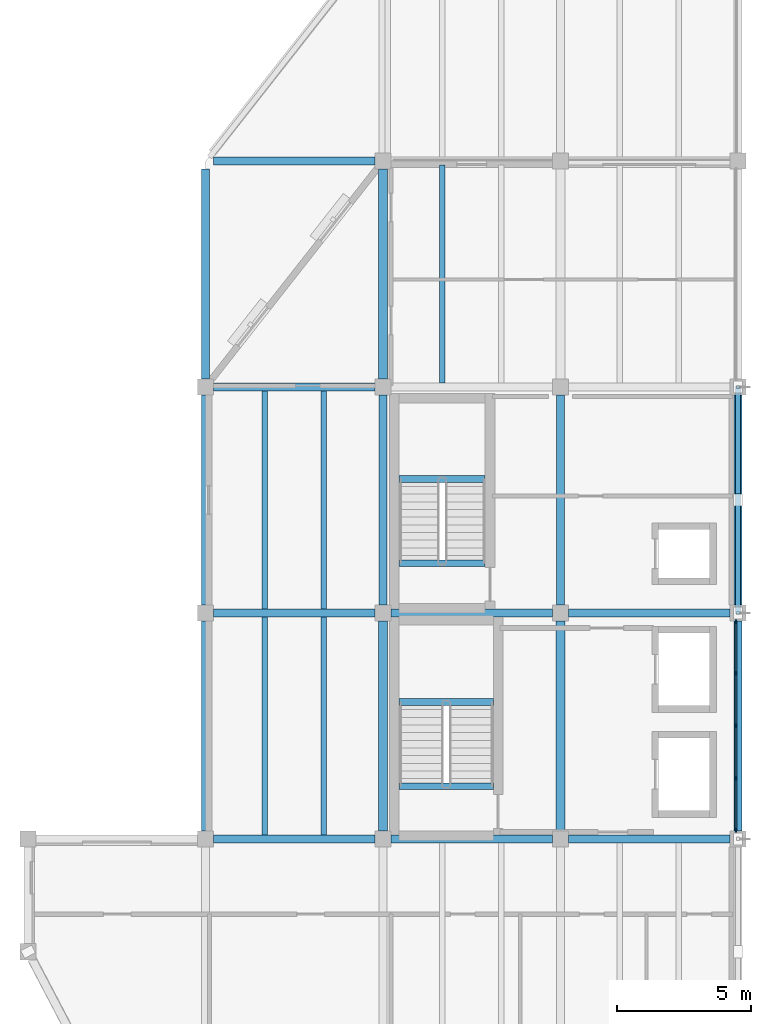
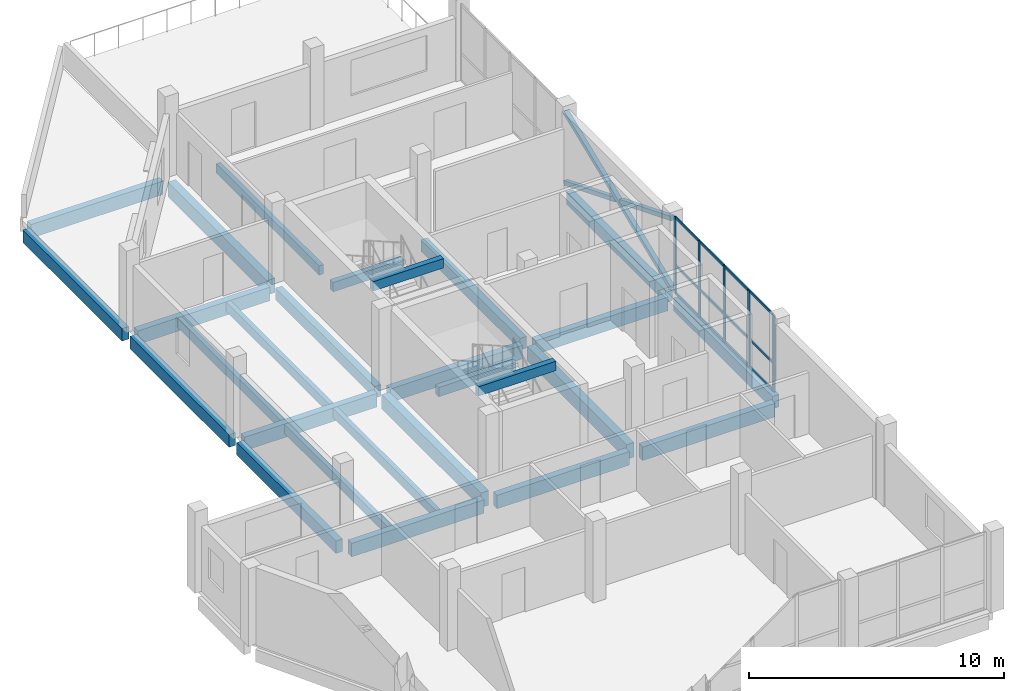
# One storey, part 3 of 10: 27 beams, 20 members, 1 element without a shape of its own.
"""IFC4 building model written with IfcOpenShell, lengths in metres."""

import ifcopenshell
import ifcopenshell.guid

model = None  # the IFC model being written
_history = None  # IfcOwnerHistory: only IFC2X3 demands one
_inside = {}  # id of a spatial element -> (the spatial element, [elements in it])
_under = {}  # id of a project, library or spatial element -> (it, [spatial elements below it])
_declared = {}  # id of a project -> (the project, [libraries it declares])
_typed = {}  # id of a type object -> (the type object, [elements of that type])
_made_of = {}  # id of a material, layer set ... -> (it, [elements and type objects made of it])


def new_model(schema):
    """Start an empty IFC model of exactly this schema.

    Asked for "IFC4X3", IfcOpenShell would pick the latest addendum, in which some entities
    have other attributes; the version numbers below select the first issue.
    IFC2X3 requires an IfcOwnerHistory on every rooted entity: one is made here for all.
    """
    global model, _history
    if schema == "IFC4X3":
        model = ifcopenshell.file(schema_version=(4, 3, 0, 0))
    else:
        model = ifcopenshell.file(schema=schema)
    _inside.clear()
    _under.clear()
    _declared.clear()
    _typed.clear()
    _made_of.clear()
    _history = None
    if model.schema == "IFC2X3":
        org = make("IfcOrganization", Name="unknown")
        user = make(
            "IfcPersonAndOrganization",
            ThePerson=make("IfcPerson", FamilyName="unknown"),
            TheOrganization=org,
        )
        app = make(
            "IfcApplication",
            ApplicationDeveloper=org,
            Version="unknown",
            ApplicationFullName="unknown",
            ApplicationIdentifier="unknown",
        )
        _history = make(
            "IfcOwnerHistory",
            OwningUser=user,
            OwningApplication=app,
            ChangeAction="ADDED",
            CreationDate=0,
        )
    return model


def make(cls, **values):
    """One entity of the class cls with the attributes given. An attribute that is None is left unset."""
    return model.create_entity(
        cls, **{name: value for name, value in values.items() if value is not None}
    )


def rooted(cls, **values):
    """An entity with a GlobalId (a new one), such as an element, a storey or a relation."""
    return make(cls, GlobalId=ifcopenshell.guid.new(), OwnerHistory=_history, **values)


def si_unit(unit_type, name, prefix=None):
    """IfcSIUnit, for example si_unit("LENGTHUNIT", "METRE", prefix="MILLI")."""
    return make("IfcSIUnit", UnitType=unit_type, Prefix=prefix, Name=name)


def assignment(units):
    """IfcUnitAssignment: the units of a project."""
    return None if units is None else make("IfcUnitAssignment", Units=units)


def point(xyz):
    """IfcCartesianPoint."""
    return None if xyz is None else make("IfcCartesianPoint", Coordinates=xyz)


def direction(xyz):
    """IfcDirection."""
    return None if xyz is None else make("IfcDirection", DirectionRatios=xyz)


def frame(location, z_axis=None, x_axis=None):
    """IfcAxis2Placement3D, a coordinate frame: its origin and axes. An axis left out is left unset."""
    return make(
        "IfcAxis2Placement3D",
        Location=point(location),
        Axis=direction(z_axis),
        RefDirection=direction(x_axis),
    )


def frame_2d(location, x_axis=None):
    """IfcAxis2Placement2D, a coordinate frame in the plane: its origin and x axis."""
    return make(
        "IfcAxis2Placement2D", Location=point(location), RefDirection=direction(x_axis)
    )


def origin():
    """The frame at (0, 0, 0) with its axes left unset."""
    return frame((0.0, 0.0, 0.0))


def origin_2d():
    """The frame at (0, 0) in the plane with its x axis left unset."""
    return frame_2d((0.0, 0.0))


def place(relative_to, where):
    """IfcLocalPlacement: puts the frame where relative to a parent placement (None: the world)."""
    return make(
        "IfcLocalPlacement", PlacementRelTo=relative_to, RelativePlacement=where
    )


def context(
    kind, dimensions, precision=None, world=None, true_north=None, identifier=None
):
    """IfcGeometricRepresentationContext, for example the 3D "Model" context."""
    return make(
        "IfcGeometricRepresentationContext",
        ContextIdentifier=identifier,
        ContextType=kind,
        CoordinateSpaceDimension=dimensions,
        Precision=precision,
        WorldCoordinateSystem=world,
        TrueNorth=true_north,
    )


def subcontext(parent, identifier, kind, view, scale=None):
    """IfcGeometricRepresentationSubContext, for example "Body" below "Model"."""
    return make(
        "IfcGeometricRepresentationSubContext",
        ContextIdentifier=identifier,
        ContextType=kind,
        ParentContext=parent,
        TargetScale=scale,
        TargetView=view,
    )


def project(units=None, contexts=None):
    """IfcProject with its units and contexts."""
    return rooted(
        "IfcProject",
        Name="project",
        RepresentationContexts=contexts,
        UnitsInContext=assignment(units),
    )


def spatial(cls, under=None, at=None, **own):
    """A site, building, storey or space (cls), placed at a placement, below another one or the project."""
    s = rooted(cls, ObjectPlacement=at, **own)
    if under is not None:
        _under.setdefault(under.id(), (under, []))[1].append(s)
    return s


def profile(cls, at=None, kind="AREA", **sizes):
    """A parametric profile (cls). Its sizes go by their IFC names, for example OverallWidth=200.0."""
    return make(cls, ProfileType=kind, Position=at, **sizes)


def rectangle(**sizes):
    """IfcRectangleProfileDef."""
    return profile("IfcRectangleProfileDef", **sizes)


def hollow_rectangle(**sizes):
    """IfcRectangleHollowProfileDef."""
    return profile("IfcRectangleHollowProfileDef", **sizes)


def extrude(swept, where, along, depth):
    """IfcExtrudedAreaSolid: the profile swept, set in the frame where, extruded along a direction by depth."""
    return make(
        "IfcExtrudedAreaSolid",
        SweptArea=swept,
        Position=where,
        ExtrudedDirection=direction(along),
        Depth=depth,
    )


def shape(context_of_items, identifier, shape_type, items):
    """IfcShapeRepresentation: the items that make up one representation, for example the "Body"."""
    return make(
        "IfcShapeRepresentation",
        ContextOfItems=context_of_items,
        RepresentationIdentifier=identifier,
        RepresentationType=shape_type,
        Items=items,
    )


def material(Name=None, Category=None):
    """IfcMaterial."""
    return make("IfcMaterial", Name=Name, Category=Category)


def material_profile(
    of_material, cross_section, Name=None, Category=None, Priority=None
):
    """IfcMaterialProfile: a cross section and its material."""
    return make(
        "IfcMaterialProfile",
        Name=Name,
        Material=of_material,
        Profile=cross_section,
        Priority=Priority,
        Category=Category,
    )


def profile_set(profiles, Name=None, composite=None):
    """IfcMaterialProfileSet."""
    return make(
        "IfcMaterialProfileSet",
        Name=Name,
        MaterialProfiles=profiles,
        CompositeProfile=composite,
    )


def made_of(thing, what):
    """Note that an element or type object is made of a material, layer set ...; save() writes the relation."""
    if what is not None:
        _made_of.setdefault(what.id(), (what, []))[1].append(thing)
    return thing


def type_object(cls, material=None, **own):
    """A type object (cls), such as IfcWallType, which elements share."""
    return made_of(rooted(cls, **own), material)


def element(
    cls,
    number,
    at=None,
    inside=None,
    cuts=None,
    type_object=None,
    material=None,
    context=None,
    identifier="Body",
    shape_type=None,
    held_by="IfcProductDefinitionShape",
    body=None,
    shapes=None,
    **own,
):
    """One element of the class cls, such as IfcWall. Its Tag is "e" and its number.

    at: its placement. inside: the storey or other place that contains it. cuts: it is an
    opening in that element (IfcRelVoidsElement). A single representation is given by context,
    identifier, shape_type and body (its items); several are given by shapes. held_by: the class
    of the entity that holds the representations. save() writes the other relations.
    """
    e = rooted(cls, Tag="e%d" % number, ObjectPlacement=at, **own)
    if body is not None:
        shapes = [shape(context, identifier, shape_type, body)]
    if shapes is not None:
        e.Representation = make(held_by, Representations=shapes)
    if inside is not None:
        _inside.setdefault(inside.id(), (inside, []))[1].append(e)
    if cuts is not None:
        rooted(
            "IfcRelVoidsElement", RelatingBuildingElement=cuts, RelatedOpeningElement=e
        )
    if type_object is not None:
        _typed.setdefault(type_object.id(), (type_object, []))[1].append(e)
    return made_of(e, material)


def aggregate(whole, parts):
    """IfcRelAggregates: a whole, such as a stair, and the parts it consists of."""
    return rooted("IfcRelAggregates", RelatingObject=whole, RelatedObjects=parts)


def save(model, path):
    """Write the relations noted so far, then the file.

    IfcRelAggregates (storeys below a building ...), IfcRelContainedInSpatialStructure (elements
    in a storey), IfcRelDefinesByType, IfcRelAssociatesMaterial and IfcRelDeclares: one each for
    every whole, place, type object, material and project.
    """
    for whole, parts in _under.values():
        aggregate(whole, parts)
    for where, things in _inside.values():
        rooted(
            "IfcRelContainedInSpatialStructure",
            RelatedElements=things,
            RelatingStructure=where,
        )
    for kind, things in _typed.values():
        rooted("IfcRelDefinesByType", RelatedObjects=things, RelatingType=kind)
    for what, things in _made_of.values():
        rooted("IfcRelAssociatesMaterial", RelatedObjects=things, RelatingMaterial=what)
    for by, libraries in _declared.values():
        rooted("IfcRelDeclares", RelatingContext=by, RelatedDefinitions=libraries)
    model.write(path)


model = new_model("IFC4")

# Units and contexts
model_context = context("Model", 3, precision=1e-05, world=origin(), true_north=direction((0.0, 1.0)))
body_context = subcontext(model_context, "Body", "Model", "MODEL_VIEW")
ifc_project = project(units=[si_unit("LENGTHUNIT", "METRE"), si_unit("AREAUNIT", "SQUARE_METRE"), si_unit("VOLUMEUNIT", "CUBIC_METRE"), si_unit("PLANEANGLEUNIT", "RADIAN"), si_unit("MASSUNIT", "GRAM", prefix="KILO")], contexts=[model_context])

# Site, building, storey
site_placement = place(None, origin())
site = spatial("IfcSite", under=ifc_project, at=site_placement, CompositionType="ELEMENT")
building_placement = place(site_placement, origin())
building = spatial("IfcBuilding", under=site, at=building_placement, Name="Qaldarim Faculty of Natural and Applied Sciences", CompositionType="ELEMENT")
storey_placement = place(building_placement, frame((0.0, 0.0, 39.300048828125)))
storey = spatial("IfcBuildingStorey", under=building, at=storey_placement, Name="L09", CompositionType="ELEMENT", Elevation=39.300048828125)

# Beams
ifc_material_1 = material(Name="Concrete C40/50", Category="concrete")
ifc_material_profile_1 = material_profile(ifc_material_1, rectangle(XDim=0.300048828125, YDim=0.550048828125, at=origin_2d()), Name="RC-B300x550")
ifc_profile_set_1 = profile_set([ifc_material_profile_1], Name="Concrete C40/50")
beam_type_1 = type_object("IfcBeamType", Name="FloorBeam-RC300x550", PredefinedType="BEAM", material=ifc_profile_set_1)
for number, where, z_axis, x_axis, name in (
    (1, (165.0, 25.5, -0.4951171875), (0.0, 1.0, 0.0), (-1.0, 0.0, 0.0), "Beam RC-B300x550 L08 X26/Y04-Y05"),
    (2, (171.60009765625, 25.5, -0.4951171875), (0.0, 1.0, 0.0), (-1.0, 0.0, 0.0), "Beam RC-B300x550 L08 X27/Y04-Y05"),
):
    element("IfcBeam", number, at=place(storey_placement, frame(where, z_axis=z_axis, x_axis=x_axis)), inside=storey, type_object=beam_type_1, Name=name, PredefinedType="BEAM", context=body_context, shape_type="SweptSolid", body=[
        extrude(rectangle(XDim=0.300048828125, YDim=0.550048828125, at=origin_2d()), origin(), (0.0, 0.0, 1.0), 7.800048828125),
    ])
ifc_material_profile_2 = material_profile(ifc_material_1, rectangle(XDim=0.199951171875, YDim=0.449951171875, at=origin_2d()), Name="RC-J200x450")
ifc_profile_set_2 = profile_set([ifc_material_profile_2], Name="Concrete C40/50")
beam_type_2 = type_object("IfcBeamType", Name="LabJoist-RC200x450", PredefinedType="JOIST", material=ifc_profile_set_2)
for number, where, z_axis, x_axis, name in (
    (3, (160.60009765625, 16.949951171875, -0.445068359375), (0.0, 1.0, 0.0), (-1.0, 0.0, 0.0), "Laboratory joist L08 bay X25Y03-1"),
    (4, (162.800048828125, 16.949951171875, -0.445068359375), (0.0, 1.0, 0.0), (-1.0, 0.0, 0.0), "Laboratory joist L08 bay X25Y03-2"),
):
    element("IfcBeam", number, at=place(storey_placement, frame(where, z_axis=z_axis, x_axis=x_axis)), inside=storey, type_object=beam_type_2, Name=name, PredefinedType="JOIST", context=body_context, shape_type="SweptSolid", body=[
        extrude(rectangle(XDim=0.199951171875, YDim=0.449951171875, at=origin_2d()), origin(), (0.0, 0.0, 1.0), 8.10009765625),
    ])
for number, where, z_axis, x_axis, name in (
    (5, (160.60009765625, 25.35009765625, -0.445068359375), (0.0, 1.0, 0.0), (-1.0, 0.0, 0.0), "Laboratory joist L08 bay X25Y04-1"),
    (6, (162.800048828125, 25.35009765625, -0.445068359375), (0.0, 1.0, 0.0), (-1.0, 0.0, 0.0), "Laboratory joist L08 bay X25Y04-2"),
):
    element("IfcBeam", number, at=place(storey_placement, frame(where, z_axis=z_axis, x_axis=x_axis)), inside=storey, type_object=beam_type_2, Name=name, PredefinedType="JOIST", context=body_context, shape_type="SweptSolid", body=[
        extrude(rectangle(XDim=0.199951171875, YDim=0.449951171875, at=origin_2d()), origin(), (0.0, 0.0, 1.0), 8.099853515625),
    ])
beam_1_placement = place(storey_placement, frame((167.199951171875, 33.75, -0.445068359375), z_axis=(0.0, 1.0, 0.0), x_axis=(-1.0, 0.0, 0.0)))
element("IfcBeam", 7, at=beam_1_placement, inside=storey, type_object=beam_type_2, Name="Laboratory joist L08 bay X26Y05-1", PredefinedType="JOIST", context=body_context, shape_type="SweptSolid", body=[
    extrude(rectangle(XDim=0.199951171875, YDim=0.449951171875, at=origin_2d()), origin(), (0.0, 0.0, 1.0), 8.10009765625),
])
ifc_material_profile_3 = material_profile(ifc_material_1, rectangle(XDim=0.25, YDim=0.449951171875, at=origin_2d()), Name="RC-LN250x450")
ifc_profile_set_3 = profile_set([ifc_material_profile_3], Name="Concrete C40/50")
beam_type_3 = type_object("IfcBeamType", Name="LandingSupportBeam-RC250x450", PredefinedType="BEAM", material=ifc_profile_set_3)
for number, where, z_axis, x_axis, name in (
    (8, (165.60009765625, 21.885009765625, 1.514892578125), (1.0, 0.0, 0.0), (0.0, 1.0, 0.0), "Stair landing support beam ST-A1 L09"),
    (9, (165.60009765625, 18.75, 3.454833984375), (1.0, 0.0, 0.0), (0.0, 1.0, 0.0), "Stair arrival support beam ST-A1 L09"),
):
    element("IfcBeam", number, at=place(storey_placement, frame(where, z_axis=z_axis, x_axis=x_axis)), inside=storey, type_object=beam_type_3, Name=name, PredefinedType="BEAM", context=body_context, shape_type="SweptSolid", body=[
        extrude(rectangle(XDim=0.25, YDim=0.449951171875, at=origin_2d()), origin(), (0.0, 0.0, 1.0), 3.5),
    ])
for number, where, z_axis, x_axis, name in (
    (10, (165.60009765625, 30.18505859375, 1.514892578125), (1.0, 0.0, 0.0), (0.0, 1.0, 0.0), "Stair landing support beam ST-A2 L09"),
    (11, (165.60009765625, 27.050048828125, 3.454833984375), (1.0, 0.0, 0.0), (0.0, 1.0, 0.0), "Stair arrival support beam ST-A2 L09"),
):
    element("IfcBeam", number, at=place(storey_placement, frame(where, z_axis=z_axis, x_axis=x_axis)), inside=storey, type_object=beam_type_3, Name=name, PredefinedType="BEAM", context=body_context, shape_type="SweptSolid", body=[
        extrude(rectangle(XDim=0.25, YDim=0.449951171875, at=origin_2d()), origin(), (0.0, 0.0, 1.0), 3.199951171875),
    ])

# Curtain wall, members
ifc_material_2 = material(Name="Anodised aluminium AW-6063", Category="aluminium")
curtain_wall_type = type_object("IfcCurtainWallType", Name="CurtainWallSystem-M1950", PredefinedType="USERDEFINED", material=ifc_material_2)
curtain_wall_placement = place(storey_placement, origin())
curtain_wall = element("IfcCurtainWall", 12, at=curtain_wall_placement, inside=storey, type_object=curtain_wall_type, Name="Curtain wall CW-L09-E-X27Y03", ObjectType="UNITISED FACADE", PredefinedType="USERDEFINED")
ifc_material_profile_4 = material_profile(ifc_material_2, rectangle(XDim=0.06005859375, YDim=0.14990234375, at=origin_2d()), Name="ALU-M60x150")
ifc_profile_set_4 = profile_set([ifc_material_profile_4], Name="Anodised aluminium AW-6063")
member_type_1 = type_object("IfcMemberType", Name="Mullion-ALU60x150", PredefinedType="MULLION", material=ifc_profile_set_4)
member_1_placement = place(storey_placement, frame((178.1201171875, 17.125, 0.0), z_axis=(0.0, 0.0, 1.0), x_axis=(-1.0, 0.0, 0.0)))
member_1 = element("IfcMember", 13, at=member_1_placement, type_object=member_type_1, Name="Mullion 1 of CW-L09-E-X27Y03", PredefinedType="MULLION", context=body_context, shape_type="SweptSolid", body=[
    extrude(rectangle(XDim=0.06005859375, YDim=0.14990234375, at=origin_2d()), origin(), (0.0, 0.0, 1.0), 3.679931640625),
])
member_2_placement = place(storey_placement, frame((178.1201171875, 19.047607421875, 0.0), z_axis=(0.0, 0.0, 1.0), x_axis=(-1.0, 0.0, 0.0)))
member_2 = element("IfcMember", 14, at=member_2_placement, type_object=member_type_1, Name="Mullion 2 of CW-L09-E-X27Y03", PredefinedType="MULLION", context=body_context, shape_type="SweptSolid", body=[
    extrude(rectangle(XDim=0.06005859375, YDim=0.14990234375, at=origin_2d()), origin(), (0.0, 0.0, 1.0), 3.679931640625),
])
member_3_placement = place(storey_placement, frame((178.1201171875, 21.0, 0.0), z_axis=(0.0, 0.0, 1.0), x_axis=(-1.0, 0.0, 0.0)))
member_3 = element("IfcMember", 15, at=member_3_placement, type_object=member_type_1, Name="Mullion 3 of CW-L09-E-X27Y03", PredefinedType="MULLION", context=body_context, shape_type="SweptSolid", body=[
    extrude(rectangle(XDim=0.06005859375, YDim=0.14990234375, at=origin_2d()), origin(), (0.0, 0.0, 1.0), 3.679931640625),
])
member_4_placement = place(storey_placement, frame((178.1201171875, 22.952392578125, 0.0), z_axis=(0.0, 0.0, 1.0), x_axis=(-1.0, 0.0, 0.0)))
member_4 = element("IfcMember", 16, at=member_4_placement, type_object=member_type_1, Name="Mullion 4 of CW-L09-E-X27Y03", PredefinedType="MULLION", context=body_context, shape_type="SweptSolid", body=[
    extrude(rectangle(XDim=0.06005859375, YDim=0.14990234375, at=origin_2d()), origin(), (0.0, 0.0, 1.0), 3.679931640625),
])
member_5_placement = place(storey_placement, frame((178.1201171875, 24.875, 0.0), z_axis=(0.0, 0.0, 1.0), x_axis=(-1.0, 0.0, 0.0)))
member_5 = element("IfcMember", 17, at=member_5_placement, type_object=member_type_1, Name="Mullion 5 of CW-L09-E-X27Y03", PredefinedType="MULLION", context=body_context, shape_type="SweptSolid", body=[
    extrude(rectangle(XDim=0.06005859375, YDim=0.14990234375, at=origin_2d()), origin(), (0.0, 0.0, 1.0), 3.679931640625),
])

# Beams
ifc_material_profile_5 = material_profile(ifc_material_1, rectangle(XDim=0.300048828125, YDim=0.64990234375, at=origin_2d()), Name="RC-B300x650")
ifc_profile_set_5 = profile_set([ifc_material_profile_5], Name="Concrete C40/50")
beam_type_4 = type_object("IfcBeamType", Name="PrimaryBeam-RC300x650", PredefinedType="BEAM", material=ifc_profile_set_5)
for number, where, z_axis, x_axis, name in (
    (18, (158.699951171875, 16.800048828125, -0.545166015625), (1.0, 0.0, 0.0), (0.0, 1.0, 0.0), "Beam RC-B300x650 L08 X25-X26/Y03"),
    (19, (165.300048828125, 16.800048828125, -0.545166015625), (1.0, 0.0, 0.0), (0.0, 1.0, 0.0), "Beam RC-B300x650 L08 X26-X27/Y03"),
    (20, (171.89990234375, 16.800048828125, -0.545166015625), (1.0, 0.0, 0.0), (0.0, 1.0, 0.0), "Beam RC-B300x650 L08 X27-X28/Y03"),
    (21, (158.699951171875, 25.199951171875, -0.545166015625), (1.0, 0.0, 0.0), (0.0, 1.0, 0.0), "Beam RC-B300x650 L08 X25-X26/Y04"),
    (22, (165.300048828125, 25.199951171875, -0.545166015625), (1.0, 0.0, 0.0), (0.0, 1.0, 0.0), "Beam RC-B300x650 L08 X26-X27/Y04"),
    (23, (171.89990234375, 25.199951171875, -0.545166015625), (1.0, 0.0, 0.0), (0.0, 1.0, 0.0), "Beam RC-B300x650 L08 X27-X28/Y04"),
    (24, (158.699951171875, 33.60009765625, -0.545166015625), (1.0, 0.0, 0.0), (0.0, 1.0, 0.0), "Beam RC-B300x650 L08 X25-X26/Y05"),
    (25, (158.699951171875, 42.0, -0.545166015625), (1.0, 0.0, 0.0), (0.0, 1.0, 0.0), "Beam RC-B300x650 L08 X25-X26/Y06"),
):
    element("IfcBeam", number, at=place(storey_placement, frame(where, z_axis=z_axis, x_axis=x_axis)), inside=storey, type_object=beam_type_4, Name=name, PredefinedType="BEAM", context=body_context, shape_type="SweptSolid", body=[
        extrude(rectangle(XDim=0.300048828125, YDim=0.64990234375, at=origin_2d()), origin(), (0.0, 0.0, 1.0), 6.0),
    ])
ifc_material_profile_6 = material_profile(ifc_material_1, rectangle(XDim=0.35009765625, YDim=0.699951171875, at=origin_2d()), Name="RC-B350x700")
ifc_profile_set_6 = profile_set([ifc_material_profile_6], Name="Concrete C40/50")
beam_type_5 = type_object("IfcBeamType", Name="PrimaryGirder-RC350x700", PredefinedType="BEAM", material=ifc_profile_set_6)
beam_2_placement = place(storey_placement, frame((165.0, 17.10009765625, -0.570068359375), z_axis=(0.0, 1.0, 0.0), x_axis=(-1.0, 0.0, 0.0)))
element("IfcBeam", 26, at=beam_2_placement, inside=storey, type_object=beam_type_5, Name="Beam RC-B350x700 L08 X26/Y03-Y04", PredefinedType="BEAM", context=body_context, shape_type="SweptSolid", body=[
    extrude(rectangle(XDim=0.35009765625, YDim=0.699951171875, at=origin_2d()), origin(), (0.0, 0.0, 1.0), 7.7998046875),
])
beam_3_placement = place(storey_placement, frame((165.0, 33.89990234375, -0.570068359375), z_axis=(0.0, 1.0, 0.0), x_axis=(-1.0, 0.0, 0.0)))
element("IfcBeam", 27, at=beam_3_placement, inside=storey, type_object=beam_type_5, Name="Beam RC-B350x700 L08 X26/Y05-Y06", PredefinedType="BEAM", context=body_context, shape_type="SweptSolid", body=[
    extrude(rectangle(XDim=0.35009765625, YDim=0.699951171875, at=origin_2d()), origin(), (0.0, 0.0, 1.0), 7.800048828125),
])
beam_4_placement = place(storey_placement, frame((171.60009765625, 17.10009765625, -0.570068359375), z_axis=(0.0, 1.0, 0.0), x_axis=(-1.0, 0.0, 0.0)))
element("IfcBeam", 28, at=beam_4_placement, inside=storey, type_object=beam_type_5, Name="Beam RC-B350x700 L08 X27/Y03-Y04", PredefinedType="BEAM", context=body_context, shape_type="SweptSolid", body=[
    extrude(rectangle(XDim=0.35009765625, YDim=0.699951171875, at=origin_2d()), origin(), (0.0, 0.0, 1.0), 7.7998046875),
])
ifc_material_3 = material(Name="Precast concrete C40/50", Category="concrete")
ifc_material_profile_7 = material_profile(ifc_material_3, rectangle(XDim=0.300048828125, YDim=0.60009765625, at=origin_2d()), Name="RC-SP300x600")
ifc_profile_set_7 = profile_set([ifc_material_profile_7], Name="Precast concrete C40/50")
beam_type_6 = type_object("IfcBeamType", Name="SpandrelBeam-RC300x600", PredefinedType="SPANDREL", material=ifc_profile_set_7)
beam_5_placement = place(storey_placement, frame((158.39990234375, 17.10009765625, -0.52001953125), z_axis=(0.0, 1.0, 0.0), x_axis=(-1.0, 0.0, 0.0)))
element("IfcBeam", 29, at=beam_5_placement, inside=storey, type_object=beam_type_6, Name="Beam RC-SP300x600 L08 X25/Y03-Y04", PredefinedType="SPANDREL", context=body_context, shape_type="SweptSolid", body=[
    extrude(rectangle(XDim=0.300048828125, YDim=0.60009765625, at=origin_2d()), origin(), (0.0, 0.0, 1.0), 7.7998046875),
])
for number, where, z_axis, x_axis, name in (
    (30, (158.39990234375, 25.5, -0.52001953125), (0.0, 1.0, 0.0), (-1.0, 0.0, 0.0), "Beam RC-SP300x600 L08 X25/Y04-Y05"),
    (31, (158.39990234375, 33.89990234375, -0.52001953125), (0.0, 1.0, 0.0), (-1.0, 0.0, 0.0), "Beam RC-SP300x600 L08 X25/Y05-Y06"),
):
    element("IfcBeam", number, at=place(storey_placement, frame(where, z_axis=z_axis, x_axis=x_axis)), inside=storey, type_object=beam_type_6, Name=name, PredefinedType="SPANDREL", context=body_context, shape_type="SweptSolid", body=[
        extrude(rectangle(XDim=0.300048828125, YDim=0.60009765625, at=origin_2d()), origin(), (0.0, 0.0, 1.0), 7.800048828125),
    ])
beam_6_placement = place(storey_placement, frame((178.199951171875, 17.10009765625, -0.52001953125), z_axis=(0.0, 1.0, 0.0), x_axis=(-1.0, 0.0, 0.0)))
element("IfcBeam", 32, at=beam_6_placement, inside=storey, type_object=beam_type_6, Name="Beam RC-SP300x600 L08 X28/Y03-Y04", PredefinedType="SPANDREL", context=body_context, shape_type="SweptSolid", body=[
    extrude(rectangle(XDim=0.300048828125, YDim=0.60009765625, at=origin_2d()), origin(), (0.0, 0.0, 1.0), 7.7998046875),
])
beam_7_placement = place(storey_placement, frame((178.199951171875, 25.5, -0.52001953125), z_axis=(0.0, 1.0, 0.0), x_axis=(-1.0, 0.0, 0.0)))
element("IfcBeam", 33, at=beam_7_placement, inside=storey, type_object=beam_type_6, Name="Beam RC-SP300x600 L08 X28/Y04-Y05", PredefinedType="SPANDREL", context=body_context, shape_type="SweptSolid", body=[
    extrude(rectangle(XDim=0.300048828125, YDim=0.60009765625, at=origin_2d()), origin(), (0.0, 0.0, 1.0), 7.800048828125),
])

# Member
ifc_material_profile_8 = material_profile(ifc_material_2, rectangle(XDim=0.06005859375, YDim=0.1201171875, at=origin_2d()), Name="ALU-T60x120")
ifc_profile_set_8 = profile_set([ifc_material_profile_8], Name="Anodised aluminium AW-6063")
member_type_2 = type_object("IfcMemberType", Name="Transom-ALU60x120", PredefinedType="USERDEFINED", material=ifc_profile_set_8)
member_6_placement = place(storey_placement, frame((178.1201171875, 17.155029296875, 0.030029296875), z_axis=(0.0, 1.0, 0.0), x_axis=(-1.0, 0.0, 0.0)))
member_6 = element("IfcMember", 34, at=member_6_placement, type_object=member_type_2, Name="Transom 1-1 of CW-L09-E-X27Y03", ObjectType="TRANSOM", PredefinedType="USERDEFINED", context=body_context, shape_type="SweptSolid", body=[
    extrude(rectangle(XDim=0.06005859375, YDim=0.1201171875, at=origin_2d()), origin(), (0.0, 0.0, 1.0), 1.862548828125),
])

member_7_placement = place(storey_placement, frame((178.1201171875, 17.155029296875, 1.349853515625), z_axis=(0.0, 1.0, 0.0), x_axis=(-1.0, 0.0, 0.0)))
member_7 = element("IfcMember", 35, at=member_7_placement, type_object=member_type_2, Name="Transom 1-2 of CW-L09-E-X27Y03", ObjectType="TRANSOM", PredefinedType="USERDEFINED", context=body_context, shape_type="SweptSolid", body=[
    extrude(rectangle(XDim=0.06005859375, YDim=0.1201171875, at=origin_2d()), origin(), (0.0, 0.0, 1.0), 1.862548828125),
])

member_8_placement = place(storey_placement, frame((178.1201171875, 17.155029296875, 3.64990234375), z_axis=(0.0, 1.0, 0.0), x_axis=(-1.0, 0.0, 0.0)))
member_8 = element("IfcMember", 36, at=member_8_placement, type_object=member_type_2, Name="Transom 1-3 of CW-L09-E-X27Y03", ObjectType="TRANSOM", PredefinedType="USERDEFINED", context=body_context, shape_type="SweptSolid", body=[
    extrude(rectangle(XDim=0.06005859375, YDim=0.1201171875, at=origin_2d()), origin(), (0.0, 0.0, 1.0), 1.862548828125),
])

member_9_placement = place(storey_placement, frame((178.1201171875, 19.077392578125, 0.030029296875), z_axis=(0.0, 1.0, 0.0), x_axis=(-1.0, 0.0, 0.0)))
member_9 = element("IfcMember", 37, at=member_9_placement, type_object=member_type_2, Name="Transom 2-1 of CW-L09-E-X27Y03", ObjectType="TRANSOM", PredefinedType="USERDEFINED", context=body_context, shape_type="SweptSolid", body=[
    extrude(rectangle(XDim=0.06005859375, YDim=0.1201171875, at=origin_2d()), origin(), (0.0, 0.0, 1.0), 1.892578125),
])

member_10_placement = place(storey_placement, frame((178.1201171875, 19.077392578125, 1.349853515625), z_axis=(0.0, 1.0, 0.0), x_axis=(-1.0, 0.0, 0.0)))
member_10 = element("IfcMember", 38, at=member_10_placement, type_object=member_type_2, Name="Transom 2-2 of CW-L09-E-X27Y03", ObjectType="TRANSOM", PredefinedType="USERDEFINED", context=body_context, shape_type="SweptSolid", body=[
    extrude(rectangle(XDim=0.06005859375, YDim=0.1201171875, at=origin_2d()), origin(), (0.0, 0.0, 1.0), 1.892578125),
])

member_11_placement = place(storey_placement, frame((178.1201171875, 19.077392578125, 3.64990234375), z_axis=(0.0, 1.0, 0.0), x_axis=(-1.0, 0.0, 0.0)))
member_11 = element("IfcMember", 39, at=member_11_placement, type_object=member_type_2, Name="Transom 2-3 of CW-L09-E-X27Y03", ObjectType="TRANSOM", PredefinedType="USERDEFINED", context=body_context, shape_type="SweptSolid", body=[
    extrude(rectangle(XDim=0.06005859375, YDim=0.1201171875, at=origin_2d()), origin(), (0.0, 0.0, 1.0), 1.892578125),
])

member_12_placement = place(storey_placement, frame((178.1201171875, 21.030029296875, 0.030029296875), z_axis=(0.0, 1.0, 0.0), x_axis=(-1.0, 0.0, 0.0)))
member_12 = element("IfcMember", 40, at=member_12_placement, type_object=member_type_2, Name="Transom 3-1 of CW-L09-E-X27Y03", ObjectType="TRANSOM", PredefinedType="USERDEFINED", context=body_context, shape_type="SweptSolid", body=[
    extrude(rectangle(XDim=0.06005859375, YDim=0.1201171875, at=origin_2d()), origin(), (0.0, 0.0, 1.0), 1.892578125),
])

member_13_placement = place(storey_placement, frame((178.1201171875, 21.030029296875, 1.349853515625), z_axis=(0.0, 1.0, 0.0), x_axis=(-1.0, 0.0, 0.0)))
member_13 = element("IfcMember", 41, at=member_13_placement, type_object=member_type_2, Name="Transom 3-2 of CW-L09-E-X27Y03", ObjectType="TRANSOM", PredefinedType="USERDEFINED", context=body_context, shape_type="SweptSolid", body=[
    extrude(rectangle(XDim=0.06005859375, YDim=0.1201171875, at=origin_2d()), origin(), (0.0, 0.0, 1.0), 1.892578125),
])

member_14_placement = place(storey_placement, frame((178.1201171875, 21.030029296875, 3.64990234375), z_axis=(0.0, 1.0, 0.0), x_axis=(-1.0, 0.0, 0.0)))
member_14 = element("IfcMember", 42, at=member_14_placement, type_object=member_type_2, Name="Transom 3-3 of CW-L09-E-X27Y03", ObjectType="TRANSOM", PredefinedType="USERDEFINED", context=body_context, shape_type="SweptSolid", body=[
    extrude(rectangle(XDim=0.06005859375, YDim=0.1201171875, at=origin_2d()), origin(), (0.0, 0.0, 1.0), 1.892578125),
])

member_15_placement = place(storey_placement, frame((178.1201171875, 22.982421875, 0.030029296875), z_axis=(0.0, 1.0, 0.0), x_axis=(-1.0, 0.0, 0.0)))
member_15 = element("IfcMember", 43, at=member_15_placement, type_object=member_type_2, Name="Transom 4-1 of CW-L09-E-X27Y03", ObjectType="TRANSOM", PredefinedType="USERDEFINED", context=body_context, shape_type="SweptSolid", body=[
    extrude(rectangle(XDim=0.06005859375, YDim=0.1201171875, at=origin_2d()), origin(), (0.0, 0.0, 1.0), 1.862548828125),
])

member_16_placement = place(storey_placement, frame((178.1201171875, 22.982421875, 1.349853515625), z_axis=(0.0, 1.0, 0.0), x_axis=(-1.0, 0.0, 0.0)))
member_16 = element("IfcMember", 44, at=member_16_placement, type_object=member_type_2, Name="Transom 4-2 of CW-L09-E-X27Y03", ObjectType="TRANSOM", PredefinedType="USERDEFINED", context=body_context, shape_type="SweptSolid", body=[
    extrude(rectangle(XDim=0.06005859375, YDim=0.1201171875, at=origin_2d()), origin(), (0.0, 0.0, 1.0), 1.862548828125),
])

member_17_placement = place(storey_placement, frame((178.1201171875, 22.982421875, 3.64990234375), z_axis=(0.0, 1.0, 0.0), x_axis=(-1.0, 0.0, 0.0)))
member_17 = element("IfcMember", 45, at=member_17_placement, type_object=member_type_2, Name="Transom 4-3 of CW-L09-E-X27Y03", ObjectType="TRANSOM", PredefinedType="USERDEFINED", context=body_context, shape_type="SweptSolid", body=[
    extrude(rectangle(XDim=0.06005859375, YDim=0.1201171875, at=origin_2d()), origin(), (0.0, 0.0, 1.0), 1.862548828125),
])

aggregate(curtain_wall, [member_1, member_2, member_3, member_4, member_5, member_6, member_7, member_8, member_9, member_10, member_11, member_12, member_13, member_14, member_15, member_16, member_17])

# Members
ifc_material_4 = material(Name="Structural steel S355", Category="steel")
ifc_material_profile_9 = material_profile(ifc_material_4, hollow_rectangle(XDim=0.199951171875, YDim=0.199951171875, WallThickness=0.012451171875, at=origin_2d()), Name="SHS 200x200x12.5")
ifc_profile_set_9 = profile_set([ifc_material_profile_9], Name="Structural steel S355")
member_type_3 = type_object("IfcMemberType", Name="UpperWingBrace-SHS200x12-5", PredefinedType="BRACE", material=ifc_profile_set_9)
member_18_placement = place(storey_placement, frame((178.199951171875, 25.199951171875, 0.0), z_axis=(0.0, 0.927719805356, 0.373277326862), x_axis=(-1.0, 0.0, 0.0)))
element("IfcMember", 46, at=member_18_placement, inside=storey, type_object=member_type_3, Name="Upper east diagrid L09 primary brace L", PredefinedType="BRACE", context=body_context, shape_type="SweptSolid", body=[
    extrude(hollow_rectangle(XDim=0.199951171875, YDim=0.199951171875, WallThickness=0.012451171875, at=origin_2d()), origin(), (0.0, 0.0, 1.0), 9.0546875),
])
for number, where, z_axis, x_axis, name in (
    (47, (178.199951171875, 33.60009765625, 0.0), (0.0, -0.927527692775, 0.373754436944), (1.0, 0.0, 0.0), "Upper east diagrid L09 split secondary lower brace R1"),
    (48, (178.199951171875, 29.195068359375, 1.77001953125), (0.0, -0.927527692775, 0.373754436944), (1.0, 0.0, 0.0), "Upper east diagrid L09 split secondary upper brace R2"),
):
    element("IfcMember", number, at=place(storey_placement, frame(where, z_axis=z_axis, x_axis=x_axis)), inside=storey, type_object=member_type_3, Name=name, PredefinedType="BRACE", context=body_context, shape_type="SweptSolid", body=[
        extrude(hollow_rectangle(XDim=0.199951171875, YDim=0.199951171875, WallThickness=0.012451171875, at=origin_2d()), origin(), (0.0, 0.0, 1.0), 4.307373046875),
    ])

save(model, "model.ifc")
